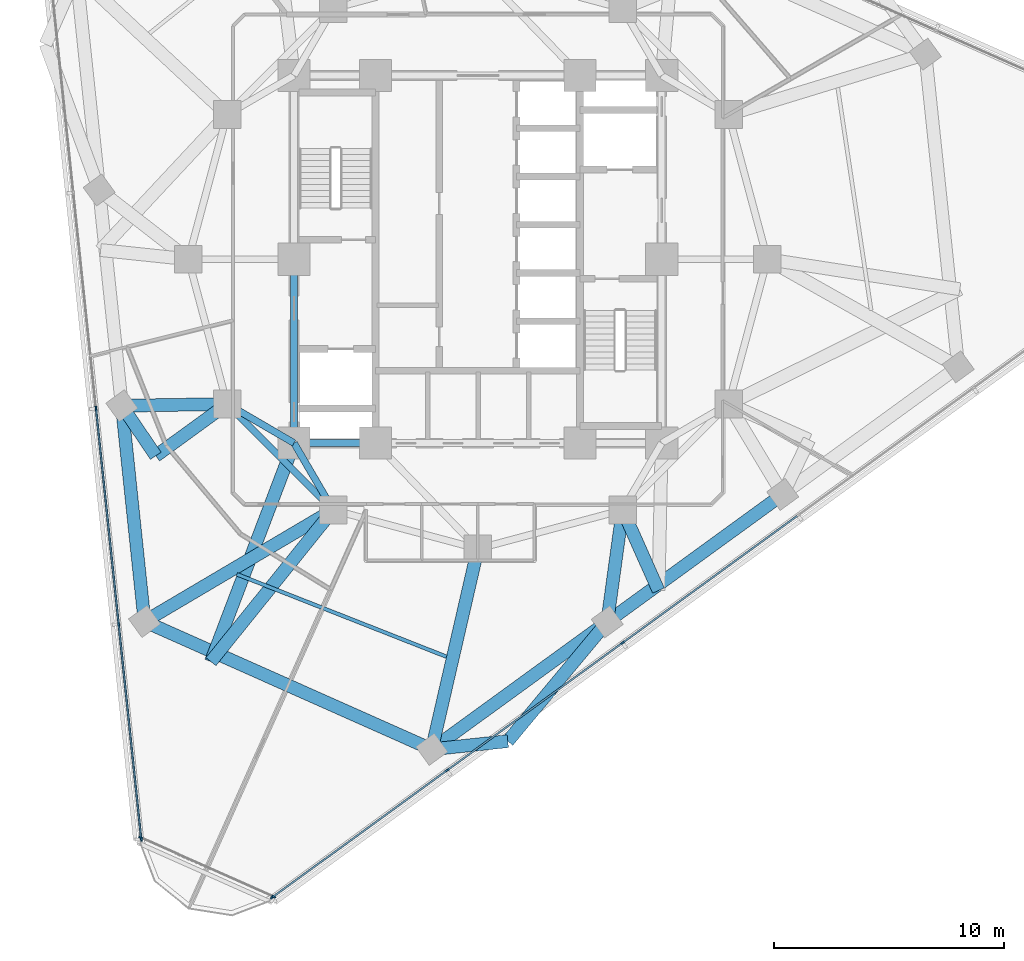
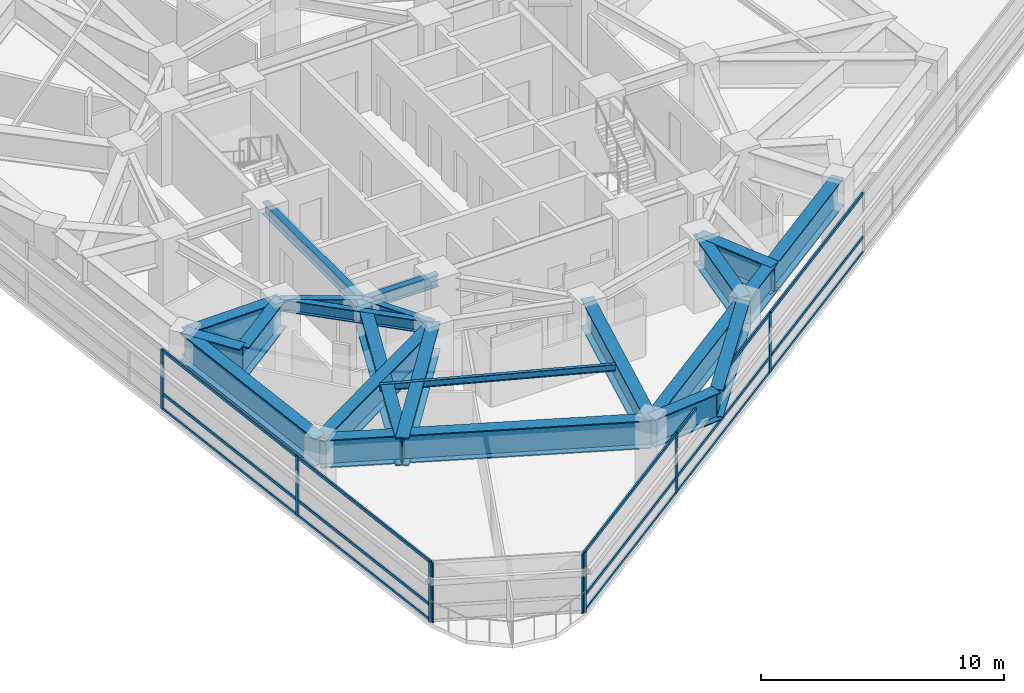
# One storey, part 2 of 14: 23 members, 21 beams, 3 elements without a shape of their own.
"""IFC4 building model written with IfcOpenShell, lengths in metres."""

from ifc_helpers import new_model, si_unit, direction, frame, origin, origin_2d, place, context, subcontext, project, spatial, rectangle, i_section, extrude, material, layer, layer_set, material_profile, profile_set, type_object, element, aggregate, save


model = new_model("IFC4")

# Units and contexts
model_context = context("Model", 3, precision=1e-05, world=origin(), true_north=direction((0.0, 1.0)))
body_context = subcontext(model_context, "Body", "Model", "MODEL_VIEW")
ifc_project = project(units=[si_unit("LENGTHUNIT", "METRE"), si_unit("AREAUNIT", "SQUARE_METRE"), si_unit("VOLUMEUNIT", "CUBIC_METRE"), si_unit("PLANEANGLEUNIT", "RADIAN"), si_unit("MASSUNIT", "GRAM", prefix="KILO")], contexts=[model_context])

# Site, building, storey
site_placement = place(None, origin())
site = spatial("IfcSite", under=ifc_project, at=site_placement, CompositionType="ELEMENT")
building_placement = place(site_placement, origin())
building = spatial("IfcBuilding", under=site, at=building_placement, Name="Terralouvre Media Tower", CompositionType="ELEMENT")
storey_placement = place(building_placement, frame((0.0, 0.0, 180.5)))
storey = spatial("IfcBuildingStorey", under=building, at=storey_placement, Name="L46", CompositionType="ELEMENT", Elevation=180.5)

# Beam
ifc_material_1 = material(Name="Structural steel S355J2", Category="steel")
ifc_material_profile_1 = material_profile(ifc_material_1, i_section(OverallWidth=0.159912109375, OverallDepth=0.330078125, WebThickness=0.007568359375, FlangeThickness=0.011474609375, at=origin_2d()), Name="IPE 330")
ifc_profile_set_1 = profile_set([ifc_material_profile_1], Name="Structural steel S355J2")
beam_type_1 = type_object("IfcBeamType", Name="Composite Floor Joist J-IPE330 (IPE 330)", PredefinedType="JOIST", material=ifc_profile_set_1)
beam_1_placement = place(storey_placement, frame((-10.485595703125, -13.709228515625, 3.3349609375), z_axis=(0.930564560392, -0.36612784508, 0.0), x_axis=(0.36612784508, 0.930564560392, 0.0)))
element("IfcBeam", 1, at=beam_1_placement, inside=storey, type_object=beam_type_1, Name="L46 Framing Beam JT-L46-01", PredefinedType="JOIST", context=body_context, shape_type="SweptSolid", body=[
    extrude(i_section(OverallWidth=0.159912109375, OverallDepth=0.330078125, WebThickness=0.007568359375, FlangeThickness=0.011474609375, at=origin_2d()), origin(), (0.0, 0.0, 1.0), 9.80078125),
])

# Curtain wall, members
ifc_material_2 = material(Name="Low-iron laminated double glazing with solar-control coating", Category="glass")
ifc_layer_1 = layer(ifc_material_2, 0.1650390625, Name="Production Studio Tower Curtain Wall CW-03")
ifc_layer_set_1 = layer_set([ifc_layer_1], Name="Low-iron laminated double glazing with solar-control coating")
curtain_wall_type_1 = type_object("IfcCurtainWallType", Name="Production Studio Tower Curtain Wall CW-03", PredefinedType="NOTDEFINED", material=ifc_layer_set_1)
curtain_wall_1_placement = place(storey_placement, origin())
curtain_wall_1 = element("IfcCurtainWall", 2, at=curtain_wall_1_placement, inside=storey, type_object=curtain_wall_type_1, Name="L46 Facade Curtain Wall F0", PredefinedType="NOTDEFINED")
ifc_material_3 = material(Name="Anodised extruded aluminium 6063-T6", Category="aluminium")
ifc_material_profile_2 = material_profile(ifc_material_3, rectangle(XDim=0.074951171875, YDim=0.14990234375, at=origin_2d()), Name="ALU 75x150")
ifc_profile_set_2 = profile_set([ifc_material_profile_2], Name="Anodised extruded aluminium 6063-T6")
member_type_1 = type_object("IfcMemberType", Name="Curtain-Wall Horizontal Transom TR-150", PredefinedType="USERDEFINED", material=ifc_profile_set_2)
member_1_placement = place(storey_placement, frame((-8.9189453125, -27.7470703125, 0.03759765625), z_axis=(0.809025744282, 0.58777320889, 0.0), x_axis=(-0.58777320889, 0.809025744282, 0.0)))
member_1 = element("IfcMember", 3, at=member_1_placement, type_object=member_type_1, Name="CW-03 transom 1.1", ObjectType="TRANSOM", PredefinedType="USERDEFINED", context=body_context, shape_type="SweptSolid", body=[
    extrude(rectangle(XDim=0.074951171875, YDim=0.14990234375, at=origin_2d()), origin(), (0.0, 0.0, 1.0), 9.327392578125),
])
member_2_placement = place(storey_placement, frame((-8.9189453125, -27.7470703125, 0.800048828125), z_axis=(0.809025744282, 0.58777320889, 0.0), x_axis=(-0.58777320889, 0.809025744282, 0.0)))
member_2 = element("IfcMember", 4, at=member_2_placement, type_object=member_type_1, Name="CW-03 transom 1.2", ObjectType="TRANSOM", PredefinedType="USERDEFINED", context=body_context, shape_type="SweptSolid", body=[
    extrude(rectangle(XDim=0.074951171875, YDim=0.14990234375, at=origin_2d()), origin(), (0.0, 0.0, 1.0), 9.327392578125),
])
member_3_placement = place(storey_placement, frame((-8.9189453125, -27.7470703125, 2.96240234375), z_axis=(0.809025744282, 0.58777320889, 0.0), x_axis=(-0.58777320889, 0.809025744282, 0.0)))
member_3 = element("IfcMember", 5, at=member_3_placement, type_object=member_type_1, Name="CW-03 transom 1.3", ObjectType="TRANSOM", PredefinedType="USERDEFINED", context=body_context, shape_type="SweptSolid", body=[
    extrude(rectangle(XDim=0.074951171875, YDim=0.14990234375, at=origin_2d()), origin(), (0.0, 0.0, 1.0), 9.327392578125),
])
member_4_placement = place(storey_placement, frame((-1.312255859375, -22.220458984375, 0.03759765625), z_axis=(0.809014443998, 0.587788762569, 0.0), x_axis=(-0.587788762569, 0.809014443998, 0.0)))
member_4 = element("IfcMember", 6, at=member_4_placement, type_object=member_type_1, Name="CW-03 transom 2.1", ObjectType="TRANSOM", PredefinedType="USERDEFINED", context=body_context, shape_type="SweptSolid", body=[
    extrude(rectangle(XDim=0.074951171875, YDim=0.14990234375, at=origin_2d()), origin(), (0.0, 0.0, 1.0), 9.364990234375),
])
member_5_placement = place(storey_placement, frame((-1.312255859375, -22.220458984375, 0.800048828125), z_axis=(0.809014443998, 0.587788762569, 0.0), x_axis=(-0.587788762569, 0.809014443998, 0.0)))
member_5 = element("IfcMember", 7, at=member_5_placement, type_object=member_type_1, Name="CW-03 transom 2.2", ObjectType="TRANSOM", PredefinedType="USERDEFINED", context=body_context, shape_type="SweptSolid", body=[
    extrude(rectangle(XDim=0.074951171875, YDim=0.14990234375, at=origin_2d()), origin(), (0.0, 0.0, 1.0), 9.364990234375),
])
member_6_placement = place(storey_placement, frame((-1.312255859375, -22.220458984375, 2.96240234375), z_axis=(0.809014443998, 0.587788762569, 0.0), x_axis=(-0.587788762569, 0.809014443998, 0.0)))
member_6 = element("IfcMember", 8, at=member_6_placement, type_object=member_type_1, Name="CW-03 transom 2.3", ObjectType="TRANSOM", PredefinedType="USERDEFINED", context=body_context, shape_type="SweptSolid", body=[
    extrude(rectangle(XDim=0.074951171875, YDim=0.14990234375, at=origin_2d()), origin(), (0.0, 0.0, 1.0), 9.364990234375),
])
member_7_placement = place(storey_placement, frame((6.324951171875, -16.671875, 0.03759765625), z_axis=(0.809014443998, 0.587788762569, 0.0), x_axis=(-0.587788762569, 0.809014443998, 0.0)))
member_7 = element("IfcMember", 9, at=member_7_placement, type_object=member_type_1, Name="CW-03 transom 3.1", ObjectType="TRANSOM", PredefinedType="USERDEFINED", context=body_context, shape_type="SweptSolid", body=[
    extrude(rectangle(XDim=0.074951171875, YDim=0.14990234375, at=origin_2d()), origin(), (0.0, 0.0, 1.0), 9.364990234375),
])
member_8_placement = place(storey_placement, frame((6.324951171875, -16.671875, 0.800048828125), z_axis=(0.809014443998, 0.587788762569, 0.0), x_axis=(-0.587788762569, 0.809014443998, 0.0)))
member_8 = element("IfcMember", 10, at=member_8_placement, type_object=member_type_1, Name="CW-03 transom 3.2", ObjectType="TRANSOM", PredefinedType="USERDEFINED", context=body_context, shape_type="SweptSolid", body=[
    extrude(rectangle(XDim=0.074951171875, YDim=0.14990234375, at=origin_2d()), origin(), (0.0, 0.0, 1.0), 9.364990234375),
])
member_9_placement = place(storey_placement, frame((6.324951171875, -16.671875, 2.96240234375), z_axis=(0.809014443998, 0.587788762569, 0.0), x_axis=(-0.587788762569, 0.809014443998, 0.0)))
member_9 = element("IfcMember", 11, at=member_9_placement, type_object=member_type_1, Name="CW-03 transom 3.3", ObjectType="TRANSOM", PredefinedType="USERDEFINED", context=body_context, shape_type="SweptSolid", body=[
    extrude(rectangle(XDim=0.074951171875, YDim=0.14990234375, at=origin_2d()), origin(), (0.0, 0.0, 1.0), 9.364990234375),
])

curtain_wall_2_placement = place(storey_placement, origin())
curtain_wall_2 = element("IfcCurtainWall", 12, at=curtain_wall_2_placement, inside=storey, type_object=curtain_wall_type_1, Name="L46 Facade Curtain Wall F2", PredefinedType="NOTDEFINED")
member_10_placement = place(storey_placement, frame((-16.614013671875, -6.52978515625, 0.03759765625), z_axis=(0.104538223456, -0.994520869483, 0.0), x_axis=(0.994520869483, 0.104538223456, 0.0)))
member_10 = element("IfcMember", 13, at=member_10_placement, type_object=member_type_1, Name="CW-03 transom 4.1", ObjectType="TRANSOM", PredefinedType="USERDEFINED", context=body_context, shape_type="SweptSolid", body=[
    extrude(rectangle(XDim=0.074951171875, YDim=0.14990234375, at=origin_2d()), origin(), (0.0, 0.0, 1.0), 9.364990234375),
])
member_11_placement = place(storey_placement, frame((-16.614013671875, -6.52978515625, 0.800048828125), z_axis=(0.104538223456, -0.994520869483, 0.0), x_axis=(0.994520869483, 0.104538223456, 0.0)))
member_11 = element("IfcMember", 14, at=member_11_placement, type_object=member_type_1, Name="CW-03 transom 4.2", ObjectType="TRANSOM", PredefinedType="USERDEFINED", context=body_context, shape_type="SweptSolid", body=[
    extrude(rectangle(XDim=0.074951171875, YDim=0.14990234375, at=origin_2d()), origin(), (0.0, 0.0, 1.0), 9.364990234375),
])
member_12_placement = place(storey_placement, frame((-16.614013671875, -6.52978515625, 2.96240234375), z_axis=(0.104538223456, -0.994520869483, 0.0), x_axis=(0.994520869483, 0.104538223456, 0.0)))
member_12 = element("IfcMember", 15, at=member_12_placement, type_object=member_type_1, Name="CW-03 transom 4.3", ObjectType="TRANSOM", PredefinedType="USERDEFINED", context=body_context, shape_type="SweptSolid", body=[
    extrude(rectangle(XDim=0.074951171875, YDim=0.14990234375, at=origin_2d()), origin(), (0.0, 0.0, 1.0), 9.364990234375),
])
member_13_placement = place(storey_placement, frame((-15.627197265625, -15.918212890625, 0.03759765625), z_axis=(0.104540358364, -0.994520645071, 0.0), x_axis=(0.994520645071, 0.104540358364, 0.0)))
member_13 = element("IfcMember", 16, at=member_13_placement, type_object=member_type_1, Name="CW-03 transom 5.1", ObjectType="TRANSOM", PredefinedType="USERDEFINED", context=body_context, shape_type="SweptSolid", body=[
    extrude(rectangle(XDim=0.074951171875, YDim=0.14990234375, at=origin_2d()), origin(), (0.0, 0.0, 1.0), 9.327392578125),
])
member_14_placement = place(storey_placement, frame((-15.627197265625, -15.918212890625, 0.800048828125), z_axis=(0.104540358364, -0.994520645071, 0.0), x_axis=(0.994520645071, 0.104540358364, 0.0)))
member_14 = element("IfcMember", 17, at=member_14_placement, type_object=member_type_1, Name="CW-03 transom 5.2", ObjectType="TRANSOM", PredefinedType="USERDEFINED", context=body_context, shape_type="SweptSolid", body=[
    extrude(rectangle(XDim=0.074951171875, YDim=0.14990234375, at=origin_2d()), origin(), (0.0, 0.0, 1.0), 9.327392578125),
])
member_15_placement = place(storey_placement, frame((-15.627197265625, -15.918212890625, 2.96240234375), z_axis=(0.104540358364, -0.994520645071, 0.0), x_axis=(0.994520645071, 0.104540358364, 0.0)))
member_15 = element("IfcMember", 18, at=member_15_placement, type_object=member_type_1, Name="CW-03 transom 5.3", ObjectType="TRANSOM", PredefinedType="USERDEFINED", context=body_context, shape_type="SweptSolid", body=[
    extrude(rectangle(XDim=0.074951171875, YDim=0.14990234375, at=origin_2d()), origin(), (0.0, 0.0, 1.0), 9.327392578125),
])

# Member
ifc_material_4 = material(Name="Anodised extruded aluminium 6063-T6", Category="aluminium")
ifc_material_profile_3 = material_profile(ifc_material_4, rectangle(XDim=0.074951171875, YDim=0.179931640625, at=origin_2d()), Name="ALU 75x180")
ifc_profile_set_3 = profile_set([ifc_material_profile_3], Name="Anodised extruded aluminium 6063-T6")
member_type_2 = type_object("IfcMemberType", Name="Curtain-Wall Vertical Mullion ML-180", PredefinedType="MULLION", material=ifc_profile_set_3)
member_16_placement = place(storey_placement, frame((-8.949462890625, -27.769287109375, 0.0), z_axis=(0.0, 0.0, 1.0), x_axis=(-0.587785358263, 0.809016917383, 0.0)))
member_16 = element("IfcMember", 19, at=member_16_placement, type_object=member_type_2, Name="CW-03 mullion 1", PredefinedType="MULLION", context=body_context, shape_type="SweptSolid", body=[
    extrude(rectangle(XDim=0.074951171875, YDim=0.179931640625, at=origin_2d()), origin(), (0.0, 0.0, 1.0), 3.0),
])

member_17_placement = place(storey_placement, frame((-1.342529296875, -22.24267578125, 0.0), z_axis=(0.0, 0.0, 1.0), x_axis=(-0.587785358263, 0.809016917383, 0.0)))
member_17 = element("IfcMember", 20, at=member_17_placement, type_object=member_type_2, Name="CW-03 mullion 2", PredefinedType="MULLION", context=body_context, shape_type="SweptSolid", body=[
    extrude(rectangle(XDim=0.074951171875, YDim=0.179931640625, at=origin_2d()), origin(), (0.0, 0.0, 1.0), 3.0),
])

member_18_placement = place(storey_placement, frame((6.294677734375, -16.69384765625, 0.0), z_axis=(0.0, 0.0, 1.0), x_axis=(-0.587785358263, 0.809016917383, 0.0)))
member_18 = element("IfcMember", 21, at=member_18_placement, type_object=member_type_2, Name="CW-03 mullion 3", PredefinedType="MULLION", context=body_context, shape_type="SweptSolid", body=[
    extrude(rectangle(XDim=0.074951171875, YDim=0.179931640625, at=origin_2d()), origin(), (0.0, 0.0, 1.0), 3.0),
])

aggregate(curtain_wall_1, [member_16, member_17, member_18, member_1, member_2, member_3, member_4, member_5, member_6, member_7, member_8, member_9])

member_19_placement = place(storey_placement, frame((-16.617919921875, -6.49267578125, 0.0), z_axis=(0.0, 0.0, 1.0), x_axis=(0.994521904516, 0.104528376236, 0.0)))
member_19 = element("IfcMember", 22, at=member_19_placement, type_object=member_type_2, Name="CW-03 mullion 4", PredefinedType="MULLION", context=body_context, shape_type="SweptSolid", body=[
    extrude(rectangle(XDim=0.074951171875, YDim=0.179931640625, at=origin_2d()), origin(), (0.0, 0.0, 1.0), 3.0),
])

member_20_placement = place(storey_placement, frame((-15.631103515625, -15.880859375, 0.0), z_axis=(0.0, 0.0, 1.0), x_axis=(0.994521904516, 0.104528376236, 0.0)))
member_20 = element("IfcMember", 23, at=member_20_placement, type_object=member_type_2, Name="CW-03 mullion 5", PredefinedType="MULLION", context=body_context, shape_type="SweptSolid", body=[
    extrude(rectangle(XDim=0.074951171875, YDim=0.179931640625, at=origin_2d()), origin(), (0.0, 0.0, 1.0), 3.0),
])

member_21_placement = place(storey_placement, frame((-14.648193359375, -25.23193359375, 0.0), z_axis=(0.0, 0.0, 1.0), x_axis=(0.994521904516, 0.104528376236, 0.0)))
member_21 = element("IfcMember", 24, at=member_21_placement, type_object=member_type_2, Name="CW-03 mullion 6", PredefinedType="MULLION", context=body_context, shape_type="SweptSolid", body=[
    extrude(rectangle(XDim=0.074951171875, YDim=0.179931640625, at=origin_2d()), origin(), (0.0, 0.0, 1.0), 3.0),
])

aggregate(curtain_wall_2, [member_19, member_20, member_21, member_10, member_11, member_12, member_13, member_14, member_15])

# Curtain wall, members
ifc_material_5 = material(Name="Low-iron laminated double glazing with solar-control coating", Category="glass")
ifc_layer_2 = layer(ifc_material_5, 0.1650390625, Name="Rounded Wind-Corner Curved Glazing CW-04")
ifc_layer_set_2 = layer_set([ifc_layer_2], Name="Low-iron laminated double glazing with solar-control coating")
curtain_wall_type_2 = type_object("IfcCurtainWallType", Name="Rounded Wind-Corner Curved Glazing CW-04", PredefinedType="NOTDEFINED", material=ifc_layer_set_2)
curtain_wall_3_placement = place(storey_placement, origin())
curtain_wall_3 = element("IfcCurtainWall", 25, at=curtain_wall_3_placement, inside=storey, type_object=curtain_wall_type_2, Name="L46 Rounded Wind-Corner Curtain Wall C0", PredefinedType="NOTDEFINED")
member_22_placement = place(storey_placement, frame((-14.67236328125, -25.169189453125, 0.0), z_axis=(0.0, 0.0, 1.0), x_axis=(0.406736754128, 0.913545408199, 0.0)))
member_22 = element("IfcMember", 26, at=member_22_placement, type_object=member_type_2, Name="CW-04 mullion 1", PredefinedType="MULLION", context=body_context, shape_type="SweptSolid", body=[
    extrude(rectangle(XDim=0.074951171875, YDim=0.179931640625, at=origin_2d()), origin(), (0.0, 0.0, 1.0), 3.0),
])
member_23_placement = place(storey_placement, frame((-8.886474609375, -27.7451171875, 0.0), z_axis=(0.0, 0.0, 1.0), x_axis=(0.406736754128, 0.913545408199, 0.0)))
member_23 = element("IfcMember", 27, at=member_23_placement, type_object=member_type_2, Name="CW-04 mullion 2", PredefinedType="MULLION", context=body_context, shape_type="SweptSolid", body=[
    extrude(rectangle(XDim=0.074951171875, YDim=0.179931640625, at=origin_2d()), origin(), (0.0, 0.0, 1.0), 3.0),
])
aggregate(curtain_wall_3, [member_22, member_23])

# Beams
ifc_material_6 = material(Name="Structural steel S460M", Category="steel")
ifc_material_profile_4 = material_profile(ifc_material_6, i_section(OverallWidth=0.300048828125, OverallDepth=0.60009765625, WebThickness=0.015380859375, FlangeThickness=0.030029296875, at=origin_2d()), Name="HEB 600")
ifc_profile_set_4 = profile_set([ifc_material_profile_4], Name="Structural steel S460M")
beam_type_2 = type_object("IfcBeamType", Name="Primary Floor Girder B-HEB600 (HEB 600)", PredefinedType="BEAM", material=ifc_profile_set_4)
beam_2_placement = place(storey_placement, frame((-8.0, -8.0, 3.199951171875), z_axis=(1.0, 0.0, 0.0), x_axis=(0.0, 1.0, 0.0)))
element("IfcBeam", 28, at=beam_2_placement, inside=storey, type_object=beam_type_2, Name="L46 Framing Beam BM-L46-CPR01", PredefinedType="BEAM", context=body_context, shape_type="SweptSolid", body=[
    extrude(i_section(OverallWidth=0.300048828125, OverallDepth=0.60009765625, WebThickness=0.015380859375, FlangeThickness=0.030029296875, at=origin_2d()), origin(), (0.0, 0.0, 1.0), 3.550048828125),
])
beam_3_placement = place(storey_placement, frame((-8.0, 0.0, 3.199951171875), z_axis=(0.0, -1.0, 0.0), x_axis=(1.0, 0.0, 0.0)))
element("IfcBeam", 29, at=beam_3_placement, inside=storey, type_object=beam_type_2, Name="L46 Framing Beam BM-L46-CPR10", PredefinedType="BEAM", context=body_context, shape_type="SweptSolid", body=[
    extrude(i_section(OverallWidth=0.300048828125, OverallDepth=0.60009765625, WebThickness=0.015380859375, FlangeThickness=0.030029296875, at=origin_2d()), origin(), (0.0, 0.0, 1.0), 8.0),
])
beam_4_placement = place(storey_placement, frame((-10.911865234375, -6.300048828125, 3.199951171875), z_axis=(0.707106781187, -0.707106781187, 0.0), x_axis=(0.707106781187, 0.707106781187, 0.0)))
element("IfcBeam", 30, at=beam_4_placement, inside=storey, type_object=beam_type_2, Name="L46 Framing Beam BM-L46-MR01", PredefinedType="BEAM", context=body_context, shape_type="SweptSolid", body=[
    extrude(i_section(OverallWidth=0.300048828125, OverallDepth=0.60009765625, WebThickness=0.015380859375, FlangeThickness=0.030029296875, at=origin_2d()), origin(), (0.0, 0.0, 1.0), 6.52197265625),
])
for number, where, z_axis, x_axis, name in (
    (31, (-8.0, -8.0, 3.199951171875), (-0.863602894532, 0.504172629717, 0.0), (-0.504172629717, -0.863602894532, 0.0), "L46 Framing Beam BM-L46-CM01"),
    (32, (-8.0, -8.0, 3.199951171875), (0.504172629717, -0.863602894532, 0.0), (0.863602894532, 0.504172629717, 0.0), "L46 Framing Beam BM-L46-CM02"),
):
    element("IfcBeam", number, at=place(storey_placement, frame(where, z_axis=z_axis, x_axis=x_axis)), inside=storey, type_object=beam_type_2, Name=name, PredefinedType="BEAM", context=body_context, shape_type="SweptSolid", body=[
        extrude(i_section(OverallWidth=0.300048828125, OverallDepth=0.60009765625, WebThickness=0.015380859375, FlangeThickness=0.030029296875, at=origin_2d()), origin(), (0.0, 0.0, 1.0), 3.371826171875),
    ])
ifc_material_7 = material(Name="Structural steel S460M", Category="steel")
ifc_material_profile_5 = material_profile(ifc_material_7, i_section(OverallWidth=0.56005859375, OverallDepth=1.39990234375, WebThickness=0.031982421875, FlangeThickness=0.050048828125, at=origin_2d()), Name="TG 1400x560")
ifc_profile_set_5 = profile_set([ifc_material_profile_5], Name="Structural steel S460M")
beam_type_3 = type_object("IfcBeamType", Name="Welded Transfer Girder TG-1400 (TG 1400x560)", PredefinedType="USERDEFINED", material=ifc_profile_set_5)
beam_5_placement = place(storey_placement, frame((-15.494140625, -6.37451171875, 2.800048828125), z_axis=(0.10453669331, -0.994521030321, 0.0), x_axis=(0.994521030321, 0.10453669331, 0.0)))
element("IfcBeam", 33, at=beam_5_placement, inside=storey, type_object=beam_type_3, Name="L46 Framing Beam BM-L46-PR01", ObjectType="TRANSFER GIRDER", PredefinedType="USERDEFINED", context=body_context, shape_type="SweptSolid", body=[
    extrude(i_section(OverallWidth=0.56005859375, OverallDepth=1.39990234375, WebThickness=0.031982421875, FlangeThickness=0.050048828125, at=origin_2d()), origin(), (0.0, 0.0, 1.0), 9.43994140625),
])
beam_6_placement = place(storey_placement, frame((-14.50732421875, -15.7626953125, 2.800048828125), z_axis=(0.913542800127, -0.4067426119, 0.0), x_axis=(0.4067426119, 0.913542800127, 0.0)))
element("IfcBeam", 34, at=beam_6_placement, inside=storey, type_object=beam_type_3, Name="L46 Framing Beam BM-L46-PR02", ObjectType="TRANSFER GIRDER", PredefinedType="USERDEFINED", context=body_context, shape_type="SweptSolid", body=[
    extrude(i_section(OverallWidth=0.56005859375, OverallDepth=1.39990234375, WebThickness=0.031982421875, FlangeThickness=0.050048828125, at=origin_2d()), origin(), (0.0, 0.0, 1.0), 13.68359375),
])
beam_7_placement = place(storey_placement, frame((-2.0068359375, -21.328369140625, 2.800048828125), z_axis=(0.809025644413, 0.587773346352, 0.0), x_axis=(-0.587773346352, 0.809025644413, 0.0)))
element("IfcBeam", 35, at=beam_7_placement, inside=storey, type_object=beam_type_3, Name="L46 Framing Beam BM-L46-PR03", ObjectType="TRANSFER GIRDER", PredefinedType="USERDEFINED", context=body_context, shape_type="SweptSolid", body=[
    extrude(i_section(OverallWidth=0.56005859375, OverallDepth=1.39990234375, WebThickness=0.031982421875, FlangeThickness=0.050048828125, at=origin_2d()), origin(), (0.0, 0.0, 1.0), 9.43994140625),
])
beam_8_placement = place(storey_placement, frame((5.63037109375, -15.77978515625, 2.800048828125), z_axis=(0.809013346268, 0.587790273448, 0.0), x_axis=(-0.587790273448, 0.809013346268, 0.0)))
element("IfcBeam", 36, at=beam_8_placement, inside=storey, type_object=beam_type_3, Name="L46 Framing Beam BM-L46-PR04", ObjectType="TRANSFER GIRDER", PredefinedType="USERDEFINED", context=body_context, shape_type="SweptSolid", body=[
    extrude(i_section(OverallWidth=0.56005859375, OverallDepth=1.39990234375, WebThickness=0.031982421875, FlangeThickness=0.050048828125, at=origin_2d()), origin(), (0.0, 0.0, 1.0), 9.440185546875),
])
beam_9_placement = place(storey_placement, frame((-10.911865234375, -6.300048828125, 2.800048828125), z_axis=(-0.999867991647, -0.016248054635, 0.0), x_axis=(0.016248054635, -0.999867991647, 0.0)))
element("IfcBeam", 37, at=beam_9_placement, inside=storey, type_object=beam_type_3, Name="L46 Framing Beam BM-L46-RD01", ObjectType="TRANSFER GIRDER", PredefinedType="USERDEFINED", context=body_context, shape_type="SweptSolid", body=[
    extrude(i_section(OverallWidth=0.56005859375, OverallDepth=1.39990234375, WebThickness=0.031982421875, FlangeThickness=0.050048828125, at=origin_2d()), origin(), (0.0, 0.0, 1.0), 4.582763671875),
])
beam_10_placement = place(storey_placement, frame((-6.300048828125, -10.911865234375, 2.800048828125), z_axis=(-0.86087707212, -0.508812997768, 0.0), x_axis=(0.508812997768, -0.86087707212, 0.0)))
element("IfcBeam", 38, at=beam_10_placement, inside=storey, type_object=beam_type_3, Name="L46 Framing Beam BM-L46-RD02", ObjectType="TRANSFER GIRDER", PredefinedType="USERDEFINED", context=body_context, shape_type="SweptSolid", body=[
    extrude(i_section(OverallWidth=0.56005859375, OverallDepth=1.39990234375, WebThickness=0.031982421875, FlangeThickness=0.050048828125, at=origin_2d()), origin(), (0.0, 0.0, 1.0), 9.53369140625),
])
beam_11_placement = place(storey_placement, frame((0.0, -12.60009765625, 2.800048828125), z_axis=(-0.224077011605, -0.974571440619, 0.0), x_axis=(0.974571440619, -0.224077011605, 0.0)))
element("IfcBeam", 39, at=beam_11_placement, inside=storey, type_object=beam_type_3, Name="L46 Framing Beam BM-L46-RD03", ObjectType="TRANSFER GIRDER", PredefinedType="USERDEFINED", context=body_context, shape_type="SweptSolid", body=[
    extrude(i_section(OverallWidth=0.56005859375, OverallDepth=1.39990234375, WebThickness=0.031982421875, FlangeThickness=0.050048828125, at=origin_2d()), origin(), (0.0, 0.0, 1.0), 8.9560546875),
])
beam_12_placement = place(storey_placement, frame((6.300048828125, -10.911865234375, 2.800048828125), z_axis=(-0.136285998947, -0.990669534452, 0.0), x_axis=(0.990669534452, -0.136285998947, 0.0)))
element("IfcBeam", 40, at=beam_12_placement, inside=storey, type_object=beam_type_3, Name="L46 Framing Beam BM-L46-RD04", ObjectType="TRANSFER GIRDER", PredefinedType="USERDEFINED", context=body_context, shape_type="SweptSolid", body=[
    extrude(i_section(OverallWidth=0.56005859375, OverallDepth=1.39990234375, WebThickness=0.031982421875, FlangeThickness=0.050048828125, at=origin_2d()), origin(), (0.0, 0.0, 1.0), 4.913818359375),
])
beam_13_placement = place(storey_placement, frame((1.3046875, -20.973388671875, 2.800048828125), z_axis=(-0.994303606196, -0.106584889665, 0.0), x_axis=(0.106584889665, -0.994303606196, 0.0)))
element("IfcBeam", 41, at=beam_13_placement, inside=storey, type_object=beam_type_3, Name="L46 Framing Beam BM-L46-TR01S1", ObjectType="TRANSFER GIRDER", PredefinedType="USERDEFINED", context=body_context, shape_type="SweptSolid", body=[
    extrude(i_section(OverallWidth=0.56005859375, OverallDepth=1.39990234375, WebThickness=0.031982421875, FlangeThickness=0.050048828125, at=origin_2d()), origin(), (0.0, 0.0, 1.0), 3.33056640625),
])
beam_14_placement = place(storey_placement, frame((1.3046875, -20.973388671875, 2.800048828125), z_axis=(0.63998186613, 0.768390012314, 0.0), x_axis=(-0.768390012314, 0.63998186613, 0.0)))
element("IfcBeam", 42, at=beam_14_placement, inside=storey, type_object=beam_type_3, Name="L46 Framing Beam BM-L46-TR01S2", ObjectType="TRANSFER GIRDER", PredefinedType="USERDEFINED", context=body_context, shape_type="SweptSolid", body=[
    extrude(i_section(OverallWidth=0.56005859375, OverallDepth=1.39990234375, WebThickness=0.031982421875, FlangeThickness=0.050048828125, at=origin_2d()), origin(), (0.0, 0.0, 1.0), 6.759033203125),
])
beam_15_placement = place(storey_placement, frame((7.86083984375, -14.417236328125, 2.800048828125), z_axis=(-0.406758229915, 0.913535846257, 0.0), x_axis=(-0.913535846257, -0.406758229915, 0.0)))
element("IfcBeam", 43, at=beam_15_placement, inside=storey, type_object=beam_type_3, Name="L46 Framing Beam BM-L46-TR02S1", ObjectType="TRANSFER GIRDER", PredefinedType="USERDEFINED", context=body_context, shape_type="SweptSolid", body=[
    extrude(i_section(OverallWidth=0.56005859375, OverallDepth=1.39990234375, WebThickness=0.031982421875, FlangeThickness=0.050048828125, at=origin_2d()), origin(), (0.0, 0.0, 1.0), 3.837158203125),
])
beam_16_placement = place(storey_placement, frame((-14.016357421875, -8.55517578125, 2.800048828125), z_axis=(-0.560993635268, 0.827820114028, 0.0), x_axis=(-0.827820114028, -0.560993635268, 0.0)))
element("IfcBeam", 44, at=beam_16_placement, inside=storey, type_object=beam_type_3, Name="L46 Framing Beam BM-L46-TR11S1", ObjectType="TRANSFER GIRDER", PredefinedType="USERDEFINED", context=body_context, shape_type="SweptSolid", body=[
    extrude(i_section(OverallWidth=0.56005859375, OverallDepth=1.39990234375, WebThickness=0.031982421875, FlangeThickness=0.050048828125, at=origin_2d()), origin(), (0.0, 0.0, 1.0), 2.63427734375),
])
beam_17_placement = place(storey_placement, frame((-14.016357421875, -8.55517578125, 2.800048828125), z_axis=(0.809068873767, 0.587713839807, 0.0), x_axis=(-0.587713839807, 0.809068873767, 0.0)))
element("IfcBeam", 45, at=beam_17_placement, inside=storey, type_object=beam_type_3, Name="L46 Framing Beam BM-L46-TR11S2", ObjectType="TRANSFER GIRDER", PredefinedType="USERDEFINED", context=body_context, shape_type="SweptSolid", body=[
    extrude(i_section(OverallWidth=0.56005859375, OverallDepth=1.39990234375, WebThickness=0.031982421875, FlangeThickness=0.050048828125, at=origin_2d()), origin(), (0.0, 0.0, 1.0), 3.837158203125),
])
beam_18_placement = place(storey_placement, frame((-11.616455078125, -17.51123046875, 2.800048828125), z_axis=(0.62734749454, 0.778739443649, 0.0), x_axis=(-0.778739443649, 0.62734749454, 0.0)))
element("IfcBeam", 46, at=beam_18_placement, inside=storey, type_object=beam_type_3, Name="L46 Framing Beam BM-L46-TR12S1", ObjectType="TRANSFER GIRDER", PredefinedType="USERDEFINED", context=body_context, shape_type="SweptSolid", body=[
    extrude(i_section(OverallWidth=0.56005859375, OverallDepth=1.39990234375, WebThickness=0.031982421875, FlangeThickness=0.050048828125, at=origin_2d()), origin(), (0.0, 0.0, 1.0), 8.474365234375),
])
beam_19_placement = place(storey_placement, frame((-11.616455078125, -17.51123046875, 2.800048828125), z_axis=(0.355405603542, 0.934712178679, 0.0), x_axis=(-0.934712178679, 0.355405603542, 0.0)))
element("IfcBeam", 47, at=beam_19_placement, inside=storey, type_object=beam_type_3, Name="L46 Framing Beam BM-L46-TR12S2", ObjectType="TRANSFER GIRDER", PredefinedType="USERDEFINED", context=body_context, shape_type="SweptSolid", body=[
    extrude(i_section(OverallWidth=0.56005859375, OverallDepth=1.39990234375, WebThickness=0.031982421875, FlangeThickness=0.050048828125, at=origin_2d()), origin(), (0.0, 0.0, 1.0), 10.175537109375),
])

save(model, "model.ifc")
